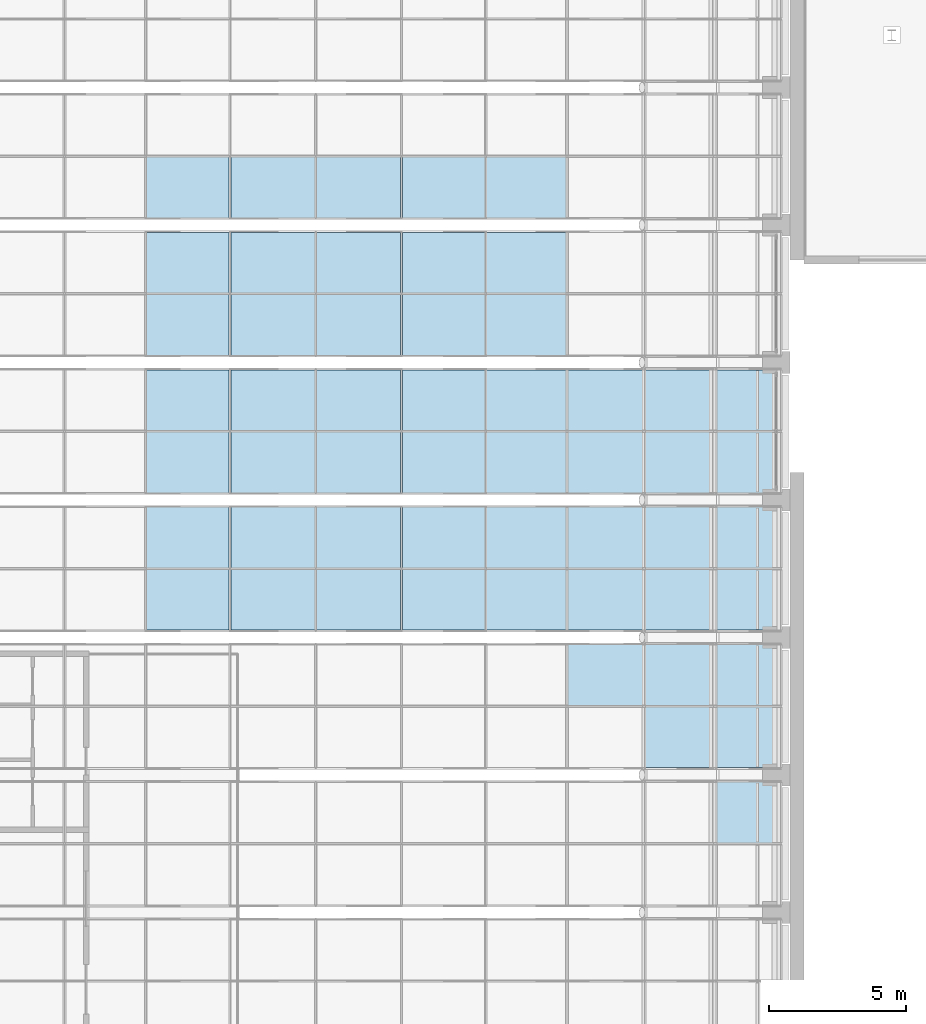
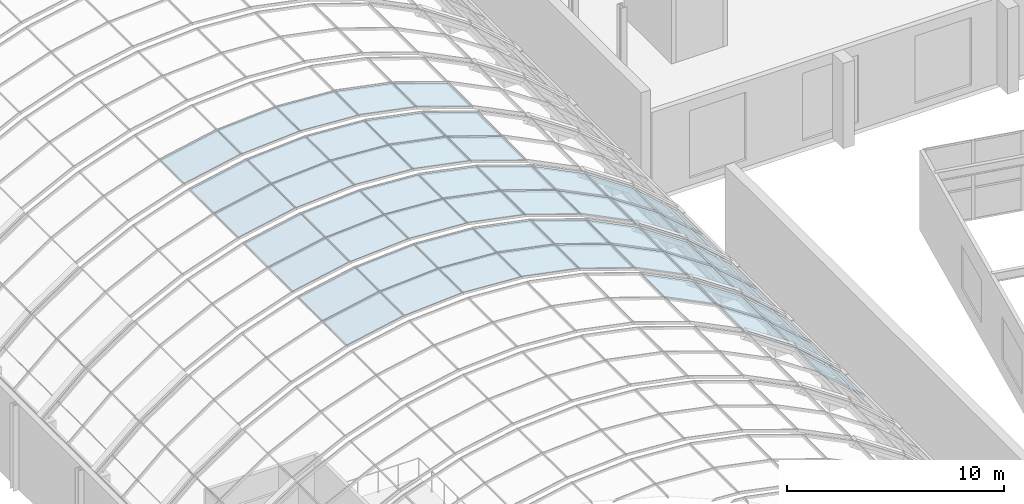
# One storey, part 110 of 182: 53 plates, 6 elements without a shape of their own.
"""IFC4 building model written with IfcOpenShell, lengths in metres."""

from ifc_helpers import new_model, si_unit, direction, frame, origin, place, context, subcontext, project, spatial, polyline, outline, extrude, material, layer, layer_set, type_object, element, aggregate, save


model = new_model("IFC4")

# Units and contexts
model_context = context("Model", 3, precision=1e-05, world=origin(), true_north=direction((0.0, 1.0)))
body_context = subcontext(model_context, "Body", "Model", "MODEL_VIEW")
ifc_project = project(units=[si_unit("LENGTHUNIT", "METRE"), si_unit("AREAUNIT", "SQUARE_METRE"), si_unit("VOLUMEUNIT", "CUBIC_METRE"), si_unit("PLANEANGLEUNIT", "RADIAN"), si_unit("MASSUNIT", "GRAM", prefix="KILO")], contexts=[model_context])

# Site, building, storey
site_placement = place(None, origin())
site = spatial("IfcSite", under=ifc_project, at=site_placement, CompositionType="ELEMENT")
building_placement = place(site_placement, origin())
building = spatial("IfcBuilding", under=site, at=building_placement, Name="Okhra Congress Centre", CompositionType="ELEMENT")
storey_placement = place(building_placement, frame((0.0, 0.0, 7.199951171875)))
storey = spatial("IfcBuildingStorey", under=building, at=storey_placement, Name="L01", CompositionType="ELEMENT", Elevation=7.199951171875)

# Curtain wall, plate
ifc_material_1 = material(Name="Aluminium frame with triple glazing", Category="aluminium")
curtain_wall_type = type_object("IfcCurtainWallType", Name="Glazed vault bay curtain wall", PredefinedType="NOTDEFINED", material=ifc_material_1)
curtain_wall_1_placement = place(storey_placement, origin())
curtain_wall_1 = element("IfcCurtainWall", 1, at=curtain_wall_1_placement, inside=storey, type_object=curtain_wall_type, Name="Vault glazing bay 11", PredefinedType="NOTDEFINED")
ifc_material_2 = material(Name="Laminated toughened glass unit, low-e coating", Category="glass")
ifc_layer_1 = layer(ifc_material_2, 0.035888671875)
ifc_layer_set_1 = layer_set([ifc_layer_1], Name="Laminated safety glazing unit 36 mm")
plate_type_1 = type_object("IfcPlateType", Name="Laminated safety glazing unit 36 mm", PredefinedType="CURTAIN_PANEL", material=ifc_layer_set_1)
plate_1_placement = place(storey_placement, frame((186.806640625, 128.530029296875, 3.976806640625), z_axis=(0.663696509452, 0.0, 0.748001967472), x_axis=(0.748001967472, 0.0, -0.663696509452)))
plate_1 = element("IfcPlate", 2, at=plate_1_placement, type_object=plate_type_1, Name="Vault glass panel 11.2.12", PredefinedType="CURTAIN_PANEL", context=body_context, shape_type="SweptSolid", body=[
    extrude(outline(polyline([(0.0, 0.0), (3.066763741617069, 0.0), (3.066763741617069, 2.206787109375), (0.0, 2.206787109375), (0.0, 0.0)])), origin(), (0.0, 0.0, -1.0), 0.035888671875),
])
aggregate(curtain_wall_1, [plate_1])

# Curtain wall, plates
curtain_wall_2_placement = place(storey_placement, origin())
curtain_wall_2 = element("IfcCurtainWall", 3, at=curtain_wall_2_placement, inside=storey, type_object=curtain_wall_type, Name="Vault glazing bay 12", PredefinedType="NOTDEFINED")
plate_2_placement = place(storey_placement, frame((184.217529296875, 131.26318359375, 5.729248046875), z_axis=(0.55946738617, 0.0, 0.82885236551), x_axis=(0.82885236551, 0.0, -0.55946738617)))
plate_2 = element("IfcPlate", 4, at=plate_2_placement, type_object=plate_type_1, Name="Vault glass panel 12.1.11", PredefinedType="CURTAIN_PANEL", context=body_context, shape_type="SweptSolid", body=[
    extrude(outline(polyline([(0.0, 0.0), (3.0668817430899797, 0.0), (3.0668817430899797, 2.206787109375), (0.0, 2.206787109375), (0.0, 0.0)])), origin(), (0.0, 0.0, -1.0), 0.035888671875),
])
plate_3_placement = place(storey_placement, frame((186.806640625, 131.26318359375, 3.976806640625), z_axis=(0.663696509452, 0.0, 0.748001967472), x_axis=(0.748001967472, 0.0, -0.663696509452)))
plate_3 = element("IfcPlate", 5, at=plate_3_placement, type_object=plate_type_1, Name="Vault glass panel 12.1.12", PredefinedType="CURTAIN_PANEL", context=body_context, shape_type="SweptSolid", body=[
    extrude(outline(polyline([(0.0, 0.0), (3.066763741617069, 0.0), (3.066763741617069, 2.206787109375), (0.0, 2.206787109375), (0.0, 0.0)])), origin(), (0.0, 0.0, -1.0), 0.035888671875),
])
plate_4_placement = place(storey_placement, frame((184.217529296875, 133.530029296875, 5.729248046875), z_axis=(0.55946738617, 0.0, 0.82885236551), x_axis=(0.82885236551, 0.0, -0.55946738617)))
plate_4 = element("IfcPlate", 6, at=plate_4_placement, type_object=plate_type_1, Name="Vault glass panel 12.2.11", PredefinedType="CURTAIN_PANEL", context=body_context, shape_type="SweptSolid", body=[
    extrude(outline(polyline([(0.0, 0.0), (3.0668817430899797, 0.0), (3.0668817430899797, 2.206787109375), (0.0, 2.206787109375), (0.0, 0.0)])), origin(), (0.0, 0.0, -1.0), 0.035888671875),
])
plate_5_placement = place(storey_placement, frame((186.806640625, 133.530029296875, 3.976806640625), z_axis=(0.663696509452, 0.0, 0.748001967472), x_axis=(0.748001967472, 0.0, -0.663696509452)))
plate_5 = element("IfcPlate", 7, at=plate_5_placement, type_object=plate_type_1, Name="Vault glass panel 12.2.12", PredefinedType="CURTAIN_PANEL", context=body_context, shape_type="SweptSolid", body=[
    extrude(outline(polyline([(0.0, 0.0), (3.066763741617069, 0.0), (3.066763741617069, 2.206787109375), (0.0, 2.206787109375), (0.0, 0.0)])), origin(), (0.0, 0.0, -1.0), 0.035888671875),
])

curtain_wall_3_placement = place(storey_placement, origin())
curtain_wall_3 = element("IfcCurtainWall", 8, at=curtain_wall_3_placement, inside=storey, type_object=curtain_wall_type, Name="Vault glazing bay 13", PredefinedType="NOTDEFINED")
plate_6_placement = place(storey_placement, frame((184.217529296875, 136.26318359375, 5.729248046875), z_axis=(0.55946738617, 0.0, 0.82885236551), x_axis=(0.82885236551, 0.0, -0.55946738617)))
plate_6 = element("IfcPlate", 9, at=plate_6_placement, type_object=plate_type_1, Name="Vault glass panel 13.1.11", PredefinedType="CURTAIN_PANEL", context=body_context, shape_type="SweptSolid", body=[
    extrude(outline(polyline([(0.0, 0.0), (3.0668817430899797, 0.0), (3.0668817430899797, 2.206787109375), (0.0, 2.206787109375), (0.0, 0.0)])), origin(), (0.0, 0.0, -1.0), 0.035888671875),
])
plate_7_placement = place(storey_placement, frame((186.806640625, 136.26318359375, 3.976806640625), z_axis=(0.663696509452, 0.0, 0.748001967472), x_axis=(0.748001967472, 0.0, -0.663696509452)))
plate_7 = element("IfcPlate", 10, at=plate_7_placement, type_object=plate_type_1, Name="Vault glass panel 13.1.12", PredefinedType="CURTAIN_PANEL", context=body_context, shape_type="SweptSolid", body=[
    extrude(outline(polyline([(0.0, 0.0), (3.066763741617069, 0.0), (3.066763741617069, 2.206787109375), (0.0, 2.206787109375), (0.0, 0.0)])), origin(), (0.0, 0.0, -1.0), 0.035888671875),
])
plate_8_placement = place(storey_placement, frame((184.217529296875, 138.530029296875, 5.729248046875), z_axis=(0.55946738617, 0.0, 0.82885236551), x_axis=(0.82885236551, 0.0, -0.55946738617)))
plate_8 = element("IfcPlate", 11, at=plate_8_placement, type_object=plate_type_1, Name="Vault glass panel 13.2.11", PredefinedType="CURTAIN_PANEL", context=body_context, shape_type="SweptSolid", body=[
    extrude(outline(polyline([(0.0, 0.0), (3.0668817430899797, 0.0), (3.0668817430899797, 2.206787109375), (0.0, 2.206787109375), (0.0, 0.0)])), origin(), (0.0, 0.0, -1.0), 0.035888671875),
])
plate_9_placement = place(storey_placement, frame((186.806640625, 138.530029296875, 3.976806640625), z_axis=(0.663696509452, 0.0, 0.748001967472), x_axis=(0.748001967472, 0.0, -0.663696509452)))
plate_9 = element("IfcPlate", 12, at=plate_9_placement, type_object=plate_type_1, Name="Vault glass panel 13.2.12", PredefinedType="CURTAIN_PANEL", context=body_context, shape_type="SweptSolid", body=[
    extrude(outline(polyline([(0.0, 0.0), (3.066763741617069, 0.0), (3.066763741617069, 2.206787109375), (0.0, 2.206787109375), (0.0, 0.0)])), origin(), (0.0, 0.0, -1.0), 0.035888671875),
])

curtain_wall_4_placement = place(storey_placement, origin())
curtain_wall_4 = element("IfcCurtainWall", 13, at=curtain_wall_4_placement, inside=storey, type_object=curtain_wall_type, Name="Vault glazing bay 14", PredefinedType="NOTDEFINED")
plate_10_placement = place(storey_placement, frame((184.217529296875, 141.26318359375, 5.729248046875), z_axis=(0.55946738617, 0.0, 0.82885236551), x_axis=(0.82885236551, 0.0, -0.55946738617)))
plate_10 = element("IfcPlate", 14, at=plate_10_placement, type_object=plate_type_1, Name="Vault glass panel 14.1.11", PredefinedType="CURTAIN_PANEL", context=body_context, shape_type="SweptSolid", body=[
    extrude(outline(polyline([(0.0, 0.0), (3.0668817430899797, 0.0), (3.0668817430899797, 2.206787109375), (0.0, 2.206787109375), (0.0, 0.0)])), origin(), (0.0, 0.0, -1.0), 0.035888671875),
])
plate_11_placement = place(storey_placement, frame((186.806640625, 141.26318359375, 3.976806640625), z_axis=(0.663696509452, 0.0, 0.748001967472), x_axis=(0.748001967472, 0.0, -0.663696509452)))
plate_11 = element("IfcPlate", 15, at=plate_11_placement, type_object=plate_type_1, Name="Vault glass panel 14.1.12", PredefinedType="CURTAIN_PANEL", context=body_context, shape_type="SweptSolid", body=[
    extrude(outline(polyline([(0.0, 0.0), (3.066763741617069, 0.0), (3.066763741617069, 2.206787109375), (0.0, 2.206787109375), (0.0, 0.0)])), origin(), (0.0, 0.0, -1.0), 0.035888671875),
])
plate_12_placement = place(storey_placement, frame((184.217529296875, 143.530029296875, 5.729248046875), z_axis=(0.55946738617, 0.0, 0.82885236551), x_axis=(0.82885236551, 0.0, -0.55946738617)))
plate_12 = element("IfcPlate", 16, at=plate_12_placement, type_object=plate_type_1, Name="Vault glass panel 14.2.11", PredefinedType="CURTAIN_PANEL", context=body_context, shape_type="SweptSolid", body=[
    extrude(outline(polyline([(0.0, 0.0), (3.0668817430899797, 0.0), (3.0668817430899797, 2.206787109375), (0.0, 2.206787109375), (0.0, 0.0)])), origin(), (0.0, 0.0, -1.0), 0.035888671875),
])
plate_13_placement = place(storey_placement, frame((186.806640625, 143.530029296875, 3.976806640625), z_axis=(0.663696509452, 0.0, 0.748001967472), x_axis=(0.748001967472, 0.0, -0.663696509452)))
plate_13 = element("IfcPlate", 17, at=plate_13_placement, type_object=plate_type_1, Name="Vault glass panel 14.2.12", PredefinedType="CURTAIN_PANEL", context=body_context, shape_type="SweptSolid", body=[
    extrude(outline(polyline([(0.0, 0.0), (3.066763741617069, 0.0), (3.066763741617069, 2.206787109375), (0.0, 2.206787109375), (0.0, 0.0)])), origin(), (0.0, 0.0, -1.0), 0.035888671875),
])

# Plate
ifc_material_3 = material(Name="Toughened triple glazed unit")
ifc_layer_2 = layer(ifc_material_3, 0.028076171875)
ifc_layer_set_2 = layer_set([ifc_layer_2], Name="Triple glazed unit 28 mm")
plate_type_2 = type_object("IfcPlateType", Name="Triple glazed unit 28 mm", PredefinedType="CURTAIN_PANEL", material=ifc_layer_set_2)
plate_14_placement = place(storey_placement, frame((181.4189453125, 133.530029296875, 7.122314453125), z_axis=(0.445588482535, 0.0, 0.895237903706), x_axis=(0.895237903706, 0.0, -0.445588482535)))
plate_14 = element("IfcPlate", 18, at=plate_14_placement, type_object=plate_type_2, Name="Vault glass panel 12.2.10", PredefinedType="CURTAIN_PANEL", context=body_context, shape_type="SweptSolid", body=[
    extrude(outline(polyline([(0.0, 0.0), (3.066082250887193, 0.0), (3.066082250887193, 2.206787109375), (0.0, 2.206787109375), (0.0, 0.0)])), origin(), (0.0, 0.0, -1.0), 0.028076171875),
])

aggregate(curtain_wall_2, [plate_2, plate_3, plate_14, plate_4, plate_5])

plate_15_placement = place(storey_placement, frame((166.094970703125, 136.26318359375, 8.154052734375), z_axis=(-0.196667336174, 0.0, 0.980470274349), x_axis=(0.980470274349, 0.0, 0.196667336174)))
plate_15 = element("IfcPlate", 19, at=plate_15_placement, type_object=plate_type_2, Name="Vault glass panel 13.1.5", PredefinedType="CURTAIN_PANEL", context=body_context, shape_type="SweptSolid", body=[
    extrude(outline(polyline([(0.0, 0.0), (3.0662302926476426, 0.0), (3.0662302926476426, 2.206787109375), (0.0, 2.206787109375), (0.0, 0.0)])), origin(), (0.0, 0.0, -1.0), 0.028076171875),
])

plate_16_placement = place(storey_placement, frame((169.16064453125, 136.26318359375, 8.764892578125), z_axis=(-0.065932355807, 0.0, 0.997824094947), x_axis=(0.997824094947, 0.0, 0.065932355807)))
plate_16 = element("IfcPlate", 20, at=plate_16_placement, type_object=plate_type_2, Name="Vault glass panel 13.1.6", PredefinedType="CURTAIN_PANEL", context=body_context, shape_type="SweptSolid", body=[
    extrude(outline(polyline([(0.0, 0.0), (3.0659974913073613, 0.0), (3.0659974913073613, 2.2067871093750004), (0.0, 2.2067871093750004), (0.0, 0.0)])), origin(), (0.0, 0.0, -1.0), 0.028076171875),
])

plate_17_placement = place(storey_placement, frame((172.280029296875, 136.26318359375, 8.967041015625), z_axis=(0.065932355807, 0.0, 0.997824094947), x_axis=(0.997824094947, 0.0, -0.065932355807)))
plate_17 = element("IfcPlate", 21, at=plate_17_placement, type_object=plate_type_2, Name="Vault glass panel 13.1.7", PredefinedType="CURTAIN_PANEL", context=body_context, shape_type="SweptSolid", body=[
    extrude(outline(polyline([(0.0, 0.0), (3.0659974913073613, 0.0), (3.0659974913073613, 2.2067871093750004), (0.0, 2.2067871093750004), (0.0, 0.0)])), origin(), (0.0, 0.0, -1.0), 0.028076171875),
])

plate_18_placement = place(storey_placement, frame((175.398681640625, 136.26318359375, 8.757080078125), z_axis=(0.196667336174, 0.0, 0.980470274349), x_axis=(0.980470274349, 0.0, -0.196667336174)))
plate_18 = element("IfcPlate", 22, at=plate_18_placement, type_object=plate_type_2, Name="Vault glass panel 13.1.8", PredefinedType="CURTAIN_PANEL", context=body_context, shape_type="SweptSolid", body=[
    extrude(outline(polyline([(0.0, 0.0), (3.0662302926476426, 0.0), (3.0662302926476426, 2.206787109375), (0.0, 2.206787109375), (0.0, 0.0)])), origin(), (0.0, 0.0, -1.0), 0.028076171875),
])

plate_19_placement = place(storey_placement, frame((178.462890625, 136.26318359375, 8.138427734375), z_axis=(0.323909017048, 0.0, 0.946088235143), x_axis=(0.946088235143, 0.0, -0.323909017048)))
plate_19 = element("IfcPlate", 23, at=plate_19_placement, type_object=plate_type_2, Name="Vault glass panel 13.1.9", PredefinedType="CURTAIN_PANEL", context=body_context, shape_type="SweptSolid", body=[
    extrude(outline(polyline([(0.0, 0.0), (3.0661822000278622, 0.0), (3.0661822000278622, 2.2067871093750004), (0.0, 2.2067871093750004), (0.0, 0.0)])), origin(), (0.0, 0.0, -1.0), 0.028076171875),
])

plate_20_placement = place(storey_placement, frame((181.4189453125, 136.26318359375, 7.122314453125), z_axis=(0.445588482535, 0.0, 0.895237903706), x_axis=(0.895237903706, 0.0, -0.445588482535)))
plate_20 = element("IfcPlate", 24, at=plate_20_placement, type_object=plate_type_2, Name="Vault glass panel 13.1.10", PredefinedType="CURTAIN_PANEL", context=body_context, shape_type="SweptSolid", body=[
    extrude(outline(polyline([(0.0, 0.0), (3.066082250887193, 0.0), (3.066082250887193, 2.206787109375), (0.0, 2.206787109375), (0.0, 0.0)])), origin(), (0.0, 0.0, -1.0), 0.028076171875),
])

plate_21_placement = place(storey_placement, frame((166.094970703125, 138.530029296875, 8.154052734375), z_axis=(-0.196667336174, 0.0, 0.980470274349), x_axis=(0.980470274349, 0.0, 0.196667336174)))
plate_21 = element("IfcPlate", 25, at=plate_21_placement, type_object=plate_type_2, Name="Vault glass panel 13.2.5", PredefinedType="CURTAIN_PANEL", context=body_context, shape_type="SweptSolid", body=[
    extrude(outline(polyline([(0.0, 0.0), (3.0662302926476426, 0.0), (3.0662302926476426, 2.206787109375), (0.0, 2.206787109375), (0.0, 0.0)])), origin(), (0.0, 0.0, -1.0), 0.028076171875),
])

plate_22_placement = place(storey_placement, frame((169.16064453125, 138.530029296875, 8.764892578125), z_axis=(-0.065932355807, 0.0, 0.997824094947), x_axis=(0.997824094947, 0.0, 0.065932355807)))
plate_22 = element("IfcPlate", 26, at=plate_22_placement, type_object=plate_type_2, Name="Vault glass panel 13.2.6", PredefinedType="CURTAIN_PANEL", context=body_context, shape_type="SweptSolid", body=[
    extrude(outline(polyline([(0.0, 0.0), (3.0659974913073613, 0.0), (3.0659974913073613, 2.2067871093750004), (0.0, 2.2067871093750004), (0.0, 0.0)])), origin(), (0.0, 0.0, -1.0), 0.028076171875),
])

plate_23_placement = place(storey_placement, frame((172.280029296875, 138.530029296875, 8.967041015625), z_axis=(0.065932355807, 0.0, 0.997824094947), x_axis=(0.997824094947, 0.0, -0.065932355807)))
plate_23 = element("IfcPlate", 27, at=plate_23_placement, type_object=plate_type_2, Name="Vault glass panel 13.2.7", PredefinedType="CURTAIN_PANEL", context=body_context, shape_type="SweptSolid", body=[
    extrude(outline(polyline([(0.0, 0.0), (3.0659974913073613, 0.0), (3.0659974913073613, 2.2067871093750004), (0.0, 2.2067871093750004), (0.0, 0.0)])), origin(), (0.0, 0.0, -1.0), 0.028076171875),
])

plate_24_placement = place(storey_placement, frame((175.398681640625, 138.530029296875, 8.757080078125), z_axis=(0.196667336174, 0.0, 0.980470274349), x_axis=(0.980470274349, 0.0, -0.196667336174)))
plate_24 = element("IfcPlate", 28, at=plate_24_placement, type_object=plate_type_2, Name="Vault glass panel 13.2.8", PredefinedType="CURTAIN_PANEL", context=body_context, shape_type="SweptSolid", body=[
    extrude(outline(polyline([(0.0, 0.0), (3.0662302926476426, 0.0), (3.0662302926476426, 2.206787109375), (0.0, 2.206787109375), (0.0, 0.0)])), origin(), (0.0, 0.0, -1.0), 0.028076171875),
])

plate_25_placement = place(storey_placement, frame((178.462890625, 138.530029296875, 8.138427734375), z_axis=(0.323909017048, 0.0, 0.946088235143), x_axis=(0.946088235143, 0.0, -0.323909017048)))
plate_25 = element("IfcPlate", 29, at=plate_25_placement, type_object=plate_type_2, Name="Vault glass panel 13.2.9", PredefinedType="CURTAIN_PANEL", context=body_context, shape_type="SweptSolid", body=[
    extrude(outline(polyline([(0.0, 0.0), (3.0661822000278622, 0.0), (3.0661822000278622, 2.2067871093750004), (0.0, 2.2067871093750004), (0.0, 0.0)])), origin(), (0.0, 0.0, -1.0), 0.028076171875),
])

plate_26_placement = place(storey_placement, frame((181.4189453125, 138.530029296875, 7.122314453125), z_axis=(0.445588482535, 0.0, 0.895237903706), x_axis=(0.895237903706, 0.0, -0.445588482535)))
plate_26 = element("IfcPlate", 30, at=plate_26_placement, type_object=plate_type_2, Name="Vault glass panel 13.2.10", PredefinedType="CURTAIN_PANEL", context=body_context, shape_type="SweptSolid", body=[
    extrude(outline(polyline([(0.0, 0.0), (3.066082250887193, 0.0), (3.066082250887193, 2.206787109375), (0.0, 2.206787109375), (0.0, 0.0)])), origin(), (0.0, 0.0, -1.0), 0.028076171875),
])

aggregate(curtain_wall_3, [plate_15, plate_16, plate_17, plate_18, plate_19, plate_20, plate_6, plate_7, plate_21, plate_22, plate_23, plate_24, plate_25, plate_26, plate_8, plate_9])

plate_27_placement = place(storey_placement, frame((166.094970703125, 141.26318359375, 8.154052734375), z_axis=(-0.196667336174, 0.0, 0.980470274349), x_axis=(0.980470274349, 0.0, 0.196667336174)))
plate_27 = element("IfcPlate", 31, at=plate_27_placement, type_object=plate_type_2, Name="Vault glass panel 14.1.5", PredefinedType="CURTAIN_PANEL", context=body_context, shape_type="SweptSolid", body=[
    extrude(outline(polyline([(0.0, 0.0), (3.0662302926476426, 0.0), (3.0662302926476426, 2.206787109375), (0.0, 2.206787109375), (0.0, 0.0)])), origin(), (0.0, 0.0, -1.0), 0.028076171875),
])

plate_28_placement = place(storey_placement, frame((169.16064453125, 141.26318359375, 8.764892578125), z_axis=(-0.065932355807, 0.0, 0.997824094947), x_axis=(0.997824094947, 0.0, 0.065932355807)))
plate_28 = element("IfcPlate", 32, at=plate_28_placement, type_object=plate_type_2, Name="Vault glass panel 14.1.6", PredefinedType="CURTAIN_PANEL", context=body_context, shape_type="SweptSolid", body=[
    extrude(outline(polyline([(0.0, 0.0), (3.0659974913073613, 0.0), (3.0659974913073613, 2.2067871093750004), (0.0, 2.2067871093750004), (0.0, 0.0)])), origin(), (0.0, 0.0, -1.0), 0.028076171875),
])

plate_29_placement = place(storey_placement, frame((172.280029296875, 141.26318359375, 8.967041015625), z_axis=(0.065932355807, 0.0, 0.997824094947), x_axis=(0.997824094947, 0.0, -0.065932355807)))
plate_29 = element("IfcPlate", 33, at=plate_29_placement, type_object=plate_type_2, Name="Vault glass panel 14.1.7", PredefinedType="CURTAIN_PANEL", context=body_context, shape_type="SweptSolid", body=[
    extrude(outline(polyline([(0.0, 0.0), (3.0659974913073613, 0.0), (3.0659974913073613, 2.2067871093750004), (0.0, 2.2067871093750004), (0.0, 0.0)])), origin(), (0.0, 0.0, -1.0), 0.028076171875),
])

plate_30_placement = place(storey_placement, frame((175.398681640625, 141.26318359375, 8.757080078125), z_axis=(0.196667336174, 0.0, 0.980470274349), x_axis=(0.980470274349, 0.0, -0.196667336174)))
plate_30 = element("IfcPlate", 34, at=plate_30_placement, type_object=plate_type_2, Name="Vault glass panel 14.1.8", PredefinedType="CURTAIN_PANEL", context=body_context, shape_type="SweptSolid", body=[
    extrude(outline(polyline([(0.0, 0.0), (3.0662302926476426, 0.0), (3.0662302926476426, 2.206787109375), (0.0, 2.206787109375), (0.0, 0.0)])), origin(), (0.0, 0.0, -1.0), 0.028076171875),
])

plate_31_placement = place(storey_placement, frame((178.462890625, 141.26318359375, 8.138427734375), z_axis=(0.323909017048, 0.0, 0.946088235143), x_axis=(0.946088235143, 0.0, -0.323909017048)))
plate_31 = element("IfcPlate", 35, at=plate_31_placement, type_object=plate_type_2, Name="Vault glass panel 14.1.9", PredefinedType="CURTAIN_PANEL", context=body_context, shape_type="SweptSolid", body=[
    extrude(outline(polyline([(0.0, 0.0), (3.0661822000278622, 0.0), (3.0661822000278622, 2.2067871093750004), (0.0, 2.2067871093750004), (0.0, 0.0)])), origin(), (0.0, 0.0, -1.0), 0.028076171875),
])

plate_32_placement = place(storey_placement, frame((181.4189453125, 141.26318359375, 7.122314453125), z_axis=(0.445588482535, 0.0, 0.895237903706), x_axis=(0.895237903706, 0.0, -0.445588482535)))
plate_32 = element("IfcPlate", 36, at=plate_32_placement, type_object=plate_type_2, Name="Vault glass panel 14.1.10", PredefinedType="CURTAIN_PANEL", context=body_context, shape_type="SweptSolid", body=[
    extrude(outline(polyline([(0.0, 0.0), (3.066082250887193, 0.0), (3.066082250887193, 2.206787109375), (0.0, 2.206787109375), (0.0, 0.0)])), origin(), (0.0, 0.0, -1.0), 0.028076171875),
])

plate_33_placement = place(storey_placement, frame((166.094970703125, 143.530029296875, 8.154052734375), z_axis=(-0.196667336174, 0.0, 0.980470274349), x_axis=(0.980470274349, 0.0, 0.196667336174)))
plate_33 = element("IfcPlate", 37, at=plate_33_placement, type_object=plate_type_2, Name="Vault glass panel 14.2.5", PredefinedType="CURTAIN_PANEL", context=body_context, shape_type="SweptSolid", body=[
    extrude(outline(polyline([(0.0, 0.0), (3.0662302926476426, 0.0), (3.0662302926476426, 2.206787109375), (0.0, 2.206787109375), (0.0, 0.0)])), origin(), (0.0, 0.0, -1.0), 0.028076171875),
])

plate_34_placement = place(storey_placement, frame((169.16064453125, 143.530029296875, 8.764892578125), z_axis=(-0.065932355807, 0.0, 0.997824094947), x_axis=(0.997824094947, 0.0, 0.065932355807)))
plate_34 = element("IfcPlate", 38, at=plate_34_placement, type_object=plate_type_2, Name="Vault glass panel 14.2.6", PredefinedType="CURTAIN_PANEL", context=body_context, shape_type="SweptSolid", body=[
    extrude(outline(polyline([(0.0, 0.0), (3.0659974913073613, 0.0), (3.0659974913073613, 2.2067871093750004), (0.0, 2.2067871093750004), (0.0, 0.0)])), origin(), (0.0, 0.0, -1.0), 0.028076171875),
])

plate_35_placement = place(storey_placement, frame((172.280029296875, 143.530029296875, 8.967041015625), z_axis=(0.065932355807, 0.0, 0.997824094947), x_axis=(0.997824094947, 0.0, -0.065932355807)))
plate_35 = element("IfcPlate", 39, at=plate_35_placement, type_object=plate_type_2, Name="Vault glass panel 14.2.7", PredefinedType="CURTAIN_PANEL", context=body_context, shape_type="SweptSolid", body=[
    extrude(outline(polyline([(0.0, 0.0), (3.0659974913073613, 0.0), (3.0659974913073613, 2.2067871093750004), (0.0, 2.2067871093750004), (0.0, 0.0)])), origin(), (0.0, 0.0, -1.0), 0.028076171875),
])

plate_36_placement = place(storey_placement, frame((175.398681640625, 143.530029296875, 8.757080078125), z_axis=(0.196667336174, 0.0, 0.980470274349), x_axis=(0.980470274349, 0.0, -0.196667336174)))
plate_36 = element("IfcPlate", 40, at=plate_36_placement, type_object=plate_type_2, Name="Vault glass panel 14.2.8", PredefinedType="CURTAIN_PANEL", context=body_context, shape_type="SweptSolid", body=[
    extrude(outline(polyline([(0.0, 0.0), (3.0662302926476426, 0.0), (3.0662302926476426, 2.206787109375), (0.0, 2.206787109375), (0.0, 0.0)])), origin(), (0.0, 0.0, -1.0), 0.028076171875),
])

plate_37_placement = place(storey_placement, frame((178.462890625, 143.530029296875, 8.138427734375), z_axis=(0.323909017048, 0.0, 0.946088235143), x_axis=(0.946088235143, 0.0, -0.323909017048)))
plate_37 = element("IfcPlate", 41, at=plate_37_placement, type_object=plate_type_2, Name="Vault glass panel 14.2.9", PredefinedType="CURTAIN_PANEL", context=body_context, shape_type="SweptSolid", body=[
    extrude(outline(polyline([(0.0, 0.0), (3.0661822000278622, 0.0), (3.0661822000278622, 2.2067871093750004), (0.0, 2.2067871093750004), (0.0, 0.0)])), origin(), (0.0, 0.0, -1.0), 0.028076171875),
])

plate_38_placement = place(storey_placement, frame((181.4189453125, 143.530029296875, 7.122314453125), z_axis=(0.445588482535, 0.0, 0.895237903706), x_axis=(0.895237903706, 0.0, -0.445588482535)))
plate_38 = element("IfcPlate", 42, at=plate_38_placement, type_object=plate_type_2, Name="Vault glass panel 14.2.10", PredefinedType="CURTAIN_PANEL", context=body_context, shape_type="SweptSolid", body=[
    extrude(outline(polyline([(0.0, 0.0), (3.066082250887193, 0.0), (3.066082250887193, 2.206787109375), (0.0, 2.206787109375), (0.0, 0.0)])), origin(), (0.0, 0.0, -1.0), 0.028076171875),
])

aggregate(curtain_wall_4, [plate_27, plate_28, plate_29, plate_30, plate_31, plate_32, plate_10, plate_11, plate_33, plate_34, plate_35, plate_36, plate_37, plate_38, plate_12, plate_13])

# Curtain wall, plates
curtain_wall_5_placement = place(storey_placement, origin())
curtain_wall_5 = element("IfcCurtainWall", 43, at=curtain_wall_5_placement, inside=storey, type_object=curtain_wall_type, Name="Vault glazing bay 15", PredefinedType="NOTDEFINED")
plate_39_placement = place(storey_placement, frame((166.094970703125, 146.26318359375, 8.154052734375), z_axis=(-0.196667336174, 0.0, 0.980470274349), x_axis=(0.980470274349, 0.0, 0.196667336174)))
plate_39 = element("IfcPlate", 44, at=plate_39_placement, type_object=plate_type_2, Name="Vault glass panel 15.1.5", PredefinedType="CURTAIN_PANEL", context=body_context, shape_type="SweptSolid", body=[
    extrude(outline(polyline([(0.0, 0.0), (3.0662302926476426, 0.0), (3.0662302926476426, 2.206787109375), (0.0, 2.206787109375), (0.0, 0.0)])), origin(), (0.0, 0.0, -1.0), 0.028076171875),
])
plate_40_placement = place(storey_placement, frame((169.16064453125, 146.26318359375, 8.764892578125), z_axis=(-0.065932355807, 0.0, 0.997824094947), x_axis=(0.997824094947, 0.0, 0.065932355807)))
plate_40 = element("IfcPlate", 45, at=plate_40_placement, type_object=plate_type_2, Name="Vault glass panel 15.1.6", PredefinedType="CURTAIN_PANEL", context=body_context, shape_type="SweptSolid", body=[
    extrude(outline(polyline([(0.0, 0.0), (3.0659974913073613, 0.0), (3.0659974913073613, 2.2067871093750004), (0.0, 2.2067871093750004), (0.0, 0.0)])), origin(), (0.0, 0.0, -1.0), 0.028076171875),
])
plate_41_placement = place(storey_placement, frame((172.280029296875, 146.26318359375, 8.967041015625), z_axis=(0.065932355807, 0.0, 0.997824094947), x_axis=(0.997824094947, 0.0, -0.065932355807)))
plate_41 = element("IfcPlate", 46, at=plate_41_placement, type_object=plate_type_2, Name="Vault glass panel 15.1.7", PredefinedType="CURTAIN_PANEL", context=body_context, shape_type="SweptSolid", body=[
    extrude(outline(polyline([(0.0, 0.0), (3.0659974913073613, 0.0), (3.0659974913073613, 2.2067871093750004), (0.0, 2.2067871093750004), (0.0, 0.0)])), origin(), (0.0, 0.0, -1.0), 0.028076171875),
])
plate_42_placement = place(storey_placement, frame((175.398681640625, 146.26318359375, 8.757080078125), z_axis=(0.196667336174, 0.0, 0.980470274349), x_axis=(0.980470274349, 0.0, -0.196667336174)))
plate_42 = element("IfcPlate", 47, at=plate_42_placement, type_object=plate_type_2, Name="Vault glass panel 15.1.8", PredefinedType="CURTAIN_PANEL", context=body_context, shape_type="SweptSolid", body=[
    extrude(outline(polyline([(0.0, 0.0), (3.0662302926476426, 0.0), (3.0662302926476426, 2.206787109375), (0.0, 2.206787109375), (0.0, 0.0)])), origin(), (0.0, 0.0, -1.0), 0.028076171875),
])
plate_43_placement = place(storey_placement, frame((178.462890625, 146.26318359375, 8.138427734375), z_axis=(0.323909017048, 0.0, 0.946088235143), x_axis=(0.946088235143, 0.0, -0.323909017048)))
plate_43 = element("IfcPlate", 48, at=plate_43_placement, type_object=plate_type_2, Name="Vault glass panel 15.1.9", PredefinedType="CURTAIN_PANEL", context=body_context, shape_type="SweptSolid", body=[
    extrude(outline(polyline([(0.0, 0.0), (3.0661822000278622, 0.0), (3.0661822000278622, 2.2067871093750004), (0.0, 2.2067871093750004), (0.0, 0.0)])), origin(), (0.0, 0.0, -1.0), 0.028076171875),
])
plate_44_placement = place(storey_placement, frame((166.094970703125, 148.530029296875, 8.154052734375), z_axis=(-0.196667336174, 0.0, 0.980470274349), x_axis=(0.980470274349, 0.0, 0.196667336174)))
plate_44 = element("IfcPlate", 49, at=plate_44_placement, type_object=plate_type_2, Name="Vault glass panel 15.2.5", PredefinedType="CURTAIN_PANEL", context=body_context, shape_type="SweptSolid", body=[
    extrude(outline(polyline([(0.0, 0.0), (3.0662302926476426, 0.0), (3.0662302926476426, 2.206787109375), (0.0, 2.206787109375), (0.0, 0.0)])), origin(), (0.0, 0.0, -1.0), 0.028076171875),
])
plate_45_placement = place(storey_placement, frame((169.16064453125, 148.530029296875, 8.764892578125), z_axis=(-0.065932355807, 0.0, 0.997824094947), x_axis=(0.997824094947, 0.0, 0.065932355807)))
plate_45 = element("IfcPlate", 50, at=plate_45_placement, type_object=plate_type_2, Name="Vault glass panel 15.2.6", PredefinedType="CURTAIN_PANEL", context=body_context, shape_type="SweptSolid", body=[
    extrude(outline(polyline([(0.0, 0.0), (3.0659974913073613, 0.0), (3.0659974913073613, 2.2067871093750004), (0.0, 2.2067871093750004), (0.0, 0.0)])), origin(), (0.0, 0.0, -1.0), 0.028076171875),
])
plate_46_placement = place(storey_placement, frame((172.280029296875, 148.530029296875, 8.967041015625), z_axis=(0.065932355807, 0.0, 0.997824094947), x_axis=(0.997824094947, 0.0, -0.065932355807)))
plate_46 = element("IfcPlate", 51, at=plate_46_placement, type_object=plate_type_2, Name="Vault glass panel 15.2.7", PredefinedType="CURTAIN_PANEL", context=body_context, shape_type="SweptSolid", body=[
    extrude(outline(polyline([(0.0, 0.0), (3.0659974913073613, 0.0), (3.0659974913073613, 2.2067871093750004), (0.0, 2.2067871093750004), (0.0, 0.0)])), origin(), (0.0, 0.0, -1.0), 0.028076171875),
])
plate_47_placement = place(storey_placement, frame((175.398681640625, 148.530029296875, 8.757080078125), z_axis=(0.196667336174, 0.0, 0.980470274349), x_axis=(0.980470274349, 0.0, -0.196667336174)))
plate_47 = element("IfcPlate", 52, at=plate_47_placement, type_object=plate_type_2, Name="Vault glass panel 15.2.8", PredefinedType="CURTAIN_PANEL", context=body_context, shape_type="SweptSolid", body=[
    extrude(outline(polyline([(0.0, 0.0), (3.0662302926476426, 0.0), (3.0662302926476426, 2.206787109375), (0.0, 2.206787109375), (0.0, 0.0)])), origin(), (0.0, 0.0, -1.0), 0.028076171875),
])
plate_48_placement = place(storey_placement, frame((178.462890625, 148.530029296875, 8.138427734375), z_axis=(0.323909017048, 0.0, 0.946088235143), x_axis=(0.946088235143, 0.0, -0.323909017048)))
plate_48 = element("IfcPlate", 53, at=plate_48_placement, type_object=plate_type_2, Name="Vault glass panel 15.2.9", PredefinedType="CURTAIN_PANEL", context=body_context, shape_type="SweptSolid", body=[
    extrude(outline(polyline([(0.0, 0.0), (3.0661822000278622, 0.0), (3.0661822000278622, 2.2067871093750004), (0.0, 2.2067871093750004), (0.0, 0.0)])), origin(), (0.0, 0.0, -1.0), 0.028076171875),
])
aggregate(curtain_wall_5, [plate_39, plate_40, plate_41, plate_42, plate_43, plate_44, plate_45, plate_46, plate_47, plate_48])

curtain_wall_6_placement = place(storey_placement, origin())
curtain_wall_6 = element("IfcCurtainWall", 54, at=curtain_wall_6_placement, inside=storey, type_object=curtain_wall_type, Name="Vault glazing bay 16", PredefinedType="NOTDEFINED")
plate_49_placement = place(storey_placement, frame((166.094970703125, 151.26318359375, 8.154052734375), z_axis=(-0.196667336174, 0.0, 0.980470274349), x_axis=(0.980470274349, 0.0, 0.196667336174)))
plate_49 = element("IfcPlate", 55, at=plate_49_placement, type_object=plate_type_2, Name="Vault glass panel 16.1.5", PredefinedType="CURTAIN_PANEL", context=body_context, shape_type="SweptSolid", body=[
    extrude(outline(polyline([(0.0, 0.0), (3.0662302926476426, 0.0), (3.0662302926476426, 2.206787109375), (0.0, 2.206787109375), (0.0, 0.0)])), origin(), (0.0, 0.0, -1.0), 0.028076171875),
])
plate_50_placement = place(storey_placement, frame((169.16064453125, 151.26318359375, 8.764892578125), z_axis=(-0.065932355807, 0.0, 0.997824094947), x_axis=(0.997824094947, 0.0, 0.065932355807)))
plate_50 = element("IfcPlate", 56, at=plate_50_placement, type_object=plate_type_2, Name="Vault glass panel 16.1.6", PredefinedType="CURTAIN_PANEL", context=body_context, shape_type="SweptSolid", body=[
    extrude(outline(polyline([(0.0, 0.0), (3.0659974913073613, 0.0), (3.0659974913073613, 2.2067871093750004), (0.0, 2.2067871093750004), (0.0, 0.0)])), origin(), (0.0, 0.0, -1.0), 0.028076171875),
])
plate_51_placement = place(storey_placement, frame((172.280029296875, 151.26318359375, 8.967041015625), z_axis=(0.065932355807, 0.0, 0.997824094947), x_axis=(0.997824094947, 0.0, -0.065932355807)))
plate_51 = element("IfcPlate", 57, at=plate_51_placement, type_object=plate_type_2, Name="Vault glass panel 16.1.7", PredefinedType="CURTAIN_PANEL", context=body_context, shape_type="SweptSolid", body=[
    extrude(outline(polyline([(0.0, 0.0), (3.0659974913073613, 0.0), (3.0659974913073613, 2.2067871093750004), (0.0, 2.2067871093750004), (0.0, 0.0)])), origin(), (0.0, 0.0, -1.0), 0.028076171875),
])
plate_52_placement = place(storey_placement, frame((175.398681640625, 151.26318359375, 8.757080078125), z_axis=(0.196667336174, 0.0, 0.980470274349), x_axis=(0.980470274349, 0.0, -0.196667336174)))
plate_52 = element("IfcPlate", 58, at=plate_52_placement, type_object=plate_type_2, Name="Vault glass panel 16.1.8", PredefinedType="CURTAIN_PANEL", context=body_context, shape_type="SweptSolid", body=[
    extrude(outline(polyline([(0.0, 0.0), (3.0662302926476426, 0.0), (3.0662302926476426, 2.206787109375), (0.0, 2.206787109375), (0.0, 0.0)])), origin(), (0.0, 0.0, -1.0), 0.028076171875),
])
plate_53_placement = place(storey_placement, frame((178.462890625, 151.26318359375, 8.138427734375), z_axis=(0.323909017048, 0.0, 0.946088235143), x_axis=(0.946088235143, 0.0, -0.323909017048)))
plate_53 = element("IfcPlate", 59, at=plate_53_placement, type_object=plate_type_2, Name="Vault glass panel 16.1.9", PredefinedType="CURTAIN_PANEL", context=body_context, shape_type="SweptSolid", body=[
    extrude(outline(polyline([(0.0, 0.0), (3.0661822000278622, 0.0), (3.0661822000278622, 2.2067871093750004), (0.0, 2.2067871093750004), (0.0, 0.0)])), origin(), (0.0, 0.0, -1.0), 0.028076171875),
])
aggregate(curtain_wall_6, [plate_49, plate_50, plate_51, plate_52, plate_53])

save(model, "model.ifc")
